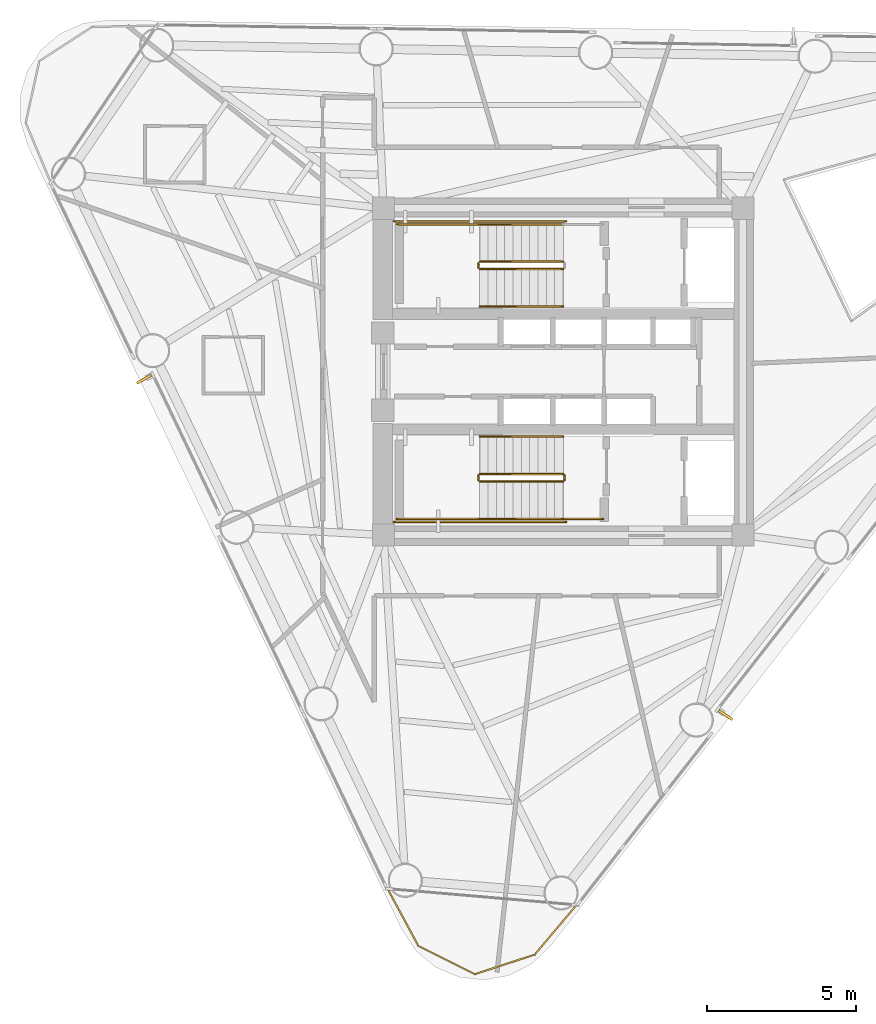
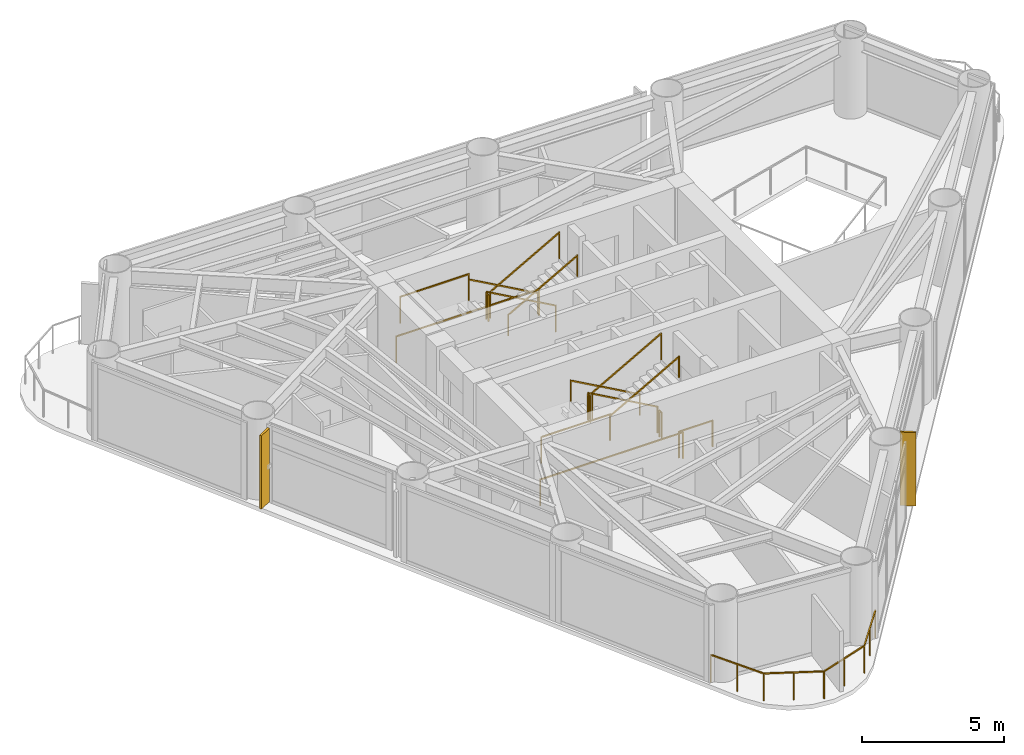
# One storey, part 7 of 9: 17 railings, 2 shading devices.
"""IFC4 building model written with IfcOpenShell, lengths in metres."""

from ifc_helpers import new_model, si_unit, direction, frame, origin, origin_2d, place, context, subcontext, project, spatial, rectangle, extrude, source, transform, mapped, material, material_profile, profile_set, type_object, element, save


model = new_model("IFC4")

# Units and contexts
model_context = context("Model", 3, precision=1e-05, world=origin(), true_north=direction((0.0, 1.0)))
body_context = subcontext(model_context, "Body", "Model", "MODEL_VIEW")
ifc_project = project(units=[si_unit("LENGTHUNIT", "METRE"), si_unit("AREAUNIT", "SQUARE_METRE"), si_unit("VOLUMEUNIT", "CUBIC_METRE"), si_unit("PLANEANGLEUNIT", "RADIAN"), si_unit("MASSUNIT", "GRAM", prefix="KILO")], contexts=[model_context])

# Site, building, storey
site_placement = place(None, origin())
site = spatial("IfcSite", under=ifc_project, at=site_placement, CompositionType="ELEMENT")
building_placement = place(site_placement, origin())
building = spatial("IfcBuilding", under=site, at=building_placement, Name="Yunling Apex Tower", CompositionType="ELEMENT")
storey_placement = place(building_placement, frame((0.0, 0.0, 208.699951171875)))
storey = spatial("IfcBuildingStorey", under=building, at=storey_placement, Name="L51", CompositionType="ELEMENT", Elevation=208.699951171875)

# Railings
ifc_material_1 = material(Name="Bronze anodised aluminium", Category="aluminium")
railing_type_1 = type_object("IfcRailingType", Name="RL-BAL-1200", PredefinedType="BALUSTRADE", material=ifc_material_1)
railing_1_placement = place(storey_placement, frame((0.4462890625, -17.9599609375, 0.0)))
element("IfcRailing", 1, at=railing_1_placement, inside=storey, type_object=railing_type_1, Name="RL-CRNSILL-L51-3", PredefinedType="BALUSTRADE", context=body_context, shape_type="SweptSolid", body=[
    extrude(rectangle(XDim=0.0439453125, YDim=0.0439453125, at=origin_2d()), origin(), (0.0, 0.0, 1.0), 1.199951171875),
    extrude(rectangle(XDim=0.0439453125, YDim=0.0439453125, at=origin_2d()), frame((-1.408447265625, -1.669189453125, 0.0)), (0.0, 0.0, 1.0), 1.199951171875),
    extrude(rectangle(XDim=0.050048828125, YDim=0.050048828125, at=origin_2d()), frame((-0.024658203125, -0.029296875, 1.1748046875), z_axis=(-0.644889304204, -0.764275987666, 0.0), x_axis=(0.764275987666, -0.644889304204, 0.0)), (0.0, 0.0, 1.0), 2.107421875),
    extrude(rectangle(XDim=0.0439453125, YDim=0.0439453125, at=origin_2d()), frame((-0.7041015625, -0.83447265625, 0.0)), (0.0, 0.0, 1.0), 1.14599609375),
    extrude(rectangle(XDim=0.0439453125, YDim=0.0439453125, at=origin_2d()), frame((-3.421875, -2.326416015625, 0.0)), (0.0, 0.0, 1.0), 1.199951171875),
    extrude(rectangle(XDim=0.050048828125, YDim=0.050048828125, at=origin_2d()), frame((-1.44482421875, -1.68115234375, 1.1748046875), z_axis=(-0.950635994022, -0.310308244926, 0.0), x_axis=(0.310308244926, -0.950635994022, 0.0)), (0.0, 0.0, 1.0), 2.041259765625),
    extrude(rectangle(XDim=0.0439453125, YDim=0.0439453125, at=origin_2d()), frame((-2.4150390625, -1.997802734375, 0.0)), (0.0, 0.0, 1.0), 1.14599609375),
    extrude(rectangle(XDim=0.0439453125, YDim=0.0439453125, at=origin_2d()), frame((-5.32275390625, -1.376708984375, 0.0)), (0.0, 0.0, 1.0), 1.199951171875),
    extrude(rectangle(XDim=0.050048828125, YDim=0.050048828125, at=origin_2d()), frame((-3.4560546875, -2.309326171875, 1.1748046875), z_axis=(-0.894565021347, 0.446937828543, 0.0), x_axis=(-0.446937828543, -0.894565021347, 0.0)), (0.0, 0.0, 1.0), 2.04833984375),
    extrude(rectangle(XDim=0.0439453125, YDim=0.0439453125, at=origin_2d()), frame((-4.372314453125, -1.8515625, 0.0)), (0.0, 0.0, 1.0), 1.14599609375),
    extrude(rectangle(XDim=0.0439453125, YDim=0.0439453125, at=origin_2d()), frame((-6.35791015625, 0.545654296875, 0.0)), (0.0, 0.0, 1.0), 1.199951171875),
    extrude(rectangle(XDim=0.050048828125, YDim=0.050048828125, at=origin_2d()), frame((-5.3408203125, -1.343017578125, 1.1748046875), z_axis=(-0.474113159208, 0.880463918775, 0.0), x_axis=(-0.880463918775, -0.474113159208, 0.0)), (0.0, 0.0, 1.0), 2.106689453125),
    extrude(rectangle(XDim=0.0439453125, YDim=0.0439453125, at=origin_2d()), frame((-5.84033203125, -0.41552734375, 0.0)), (0.0, 0.0, 1.0), 1.14599609375),
])
ifc_material_2 = material(Name="Steel Q355B", Category="steel")
railing_type_2 = type_object("IfcRailingType", Name="RL-GRD-1150", PredefinedType="GUARDRAIL", material=ifc_material_2)
railing_2_placement = place(storey_placement, frame((-0.010009765625, 3.699951171875, 0.156982421875)))
element("IfcRailing", 2, at=railing_2_placement, inside=storey, type_object=railing_type_2, Name="L51 ST-1 stair guard 1", PredefinedType="GUARDRAIL", context=body_context, shape_type="SweptSolid", body=[
    extrude(rectangle(XDim=0.0439453125, YDim=0.0439453125, at=origin_2d()), origin(), (0.0, 0.0, 1.0), 1.14990234375),
    extrude(rectangle(XDim=0.0439453125, YDim=0.0439453125, at=origin_2d()), frame((-2.800048828125, 0.0, 1.568115234375)), (0.0, 0.0, 1.0), 1.14990234375),
    extrude(rectangle(XDim=0.050048828125, YDim=0.050048828125, at=origin_2d()), frame((-0.033447265625, 0.0, 1.1435546875), z_axis=(-0.872494340497, 0.0, 0.48862421737), x_axis=(0.0, -1.0, 0.0)), (0.0, 0.0, 1.0), 3.132568359375),
])
railing_3_placement = place(storey_placement, frame((-2.860107421875, 3.64990234375, 1.72509765625)))
element("IfcRailing", 3, at=railing_3_placement, inside=storey, type_object=railing_type_2, Name="L51 ST-1 stair guard 2", PredefinedType="GUARDRAIL", context=body_context, shape_type="SweptSolid", body=[
    extrude(rectangle(XDim=0.0439453125, YDim=0.0439453125, at=origin_2d()), origin(), (0.0, 0.0, 1.0), 1.14990234375),
    extrude(rectangle(XDim=0.0439453125, YDim=0.0439453125, at=origin_2d()), frame((0.0, -0.14990234375, 0.0)), (0.0, 0.0, 1.0), 1.14990234375),
    extrude(rectangle(XDim=0.050048828125, YDim=0.050048828125, at=origin_2d()), frame((0.0, -0.038330078125, 1.125), z_axis=(0.0, -1.0, 0.0), x_axis=(1.0, 0.0, 0.0)), (0.0, 0.0, 1.0), 0.0732421875),
])
railing_4_placement = place(storey_placement, frame((-2.81005859375, 4.9599609375, 1.72509765625)))
element("IfcRailing", 4, at=railing_4_placement, inside=storey, type_object=railing_type_2, Name="L51 ST-1 stair guard 3", PredefinedType="GUARDRAIL", context=body_context, shape_type="SweptSolid", body=[
    extrude(rectangle(XDim=0.0439453125, YDim=0.0439453125, at=origin_2d()), origin(), (0.0, 0.0, 1.0), 1.14990234375),
    extrude(rectangle(XDim=0.0439453125, YDim=0.0439453125, at=origin_2d()), frame((-2.7900390625, 0.0, 0.0)), (0.0, 0.0, 1.0), 1.14990234375),
    extrude(rectangle(XDim=0.050048828125, YDim=0.050048828125, at=origin_2d()), frame((-0.038330078125, 0.0, 1.125), z_axis=(-1.0, 0.0, 0.0), x_axis=(0.0, -1.0, 0.0)), (0.0, 0.0, 1.0), 2.71337890625),
])
railing_5_placement = place(storey_placement, frame((-2.81005859375, 3.449951171875, 1.8818359375)))
element("IfcRailing", 5, at=railing_5_placement, inside=storey, type_object=railing_type_2, Name="L51 ST-1 stair guard 4", PredefinedType="GUARDRAIL", context=body_context, shape_type="SweptSolid", body=[
    extrude(rectangle(XDim=0.0439453125, YDim=0.0439453125, at=origin_2d()), origin(), (0.0, 0.0, 1.0), 1.14990234375),
    extrude(rectangle(XDim=0.0439453125, YDim=0.0439453125, at=origin_2d()), frame((2.800048828125, 0.0, 1.568115234375)), (0.0, 0.0, 1.0), 1.14990234375),
    extrude(rectangle(XDim=0.050048828125, YDim=0.050048828125, at=origin_2d()), frame((0.033447265625, 0.0, 1.1435546875), z_axis=(0.872494340497, 0.0, 0.48862421737), x_axis=(0.0, 1.0, 0.0)), (0.0, 0.0, 1.0), 3.132568359375),
])
railing_6_placement = place(storey_placement, frame((0.090087890625, 5.06005859375, 0.0)))
element("IfcRailing", 6, at=railing_6_placement, inside=storey, type_object=railing_type_2, Name="L51 ST-1 stair guard 7", PredefinedType="GUARDRAIL", context=body_context, shape_type="SweptSolid", body=[
    extrude(rectangle(XDim=0.0439453125, YDim=0.0439453125, at=origin_2d()), origin(), (0.0, 0.0, 1.0), 1.14990234375),
    extrude(rectangle(XDim=0.0439453125, YDim=0.0439453125, at=origin_2d()), frame((-5.7900390625, 0.0, 0.0)), (0.0, 0.0, 1.0), 1.14990234375),
    extrude(rectangle(XDim=0.050048828125, YDim=0.050048828125, at=origin_2d()), frame((-0.038330078125, 0.0, 1.125), z_axis=(-1.0, 0.0, 0.0), x_axis=(0.0, -1.0, 0.0)), (0.0, 0.0, 1.0), 5.71337890625),
])
railing_7_placement = place(storey_placement, frame((-0.010009765625, -3.449951171875, 0.156982421875)))
element("IfcRailing", 7, at=railing_7_placement, inside=storey, type_object=railing_type_2, Name="L51 ST-2 stair guard 1", PredefinedType="GUARDRAIL", context=body_context, shape_type="SweptSolid", body=[
    extrude(rectangle(XDim=0.0439453125, YDim=0.0439453125, at=origin_2d()), origin(), (0.0, 0.0, 1.0), 1.14990234375),
    extrude(rectangle(XDim=0.0439453125, YDim=0.0439453125, at=origin_2d()), frame((-2.800048828125, 0.0, 1.568115234375)), (0.0, 0.0, 1.0), 1.14990234375),
    extrude(rectangle(XDim=0.050048828125, YDim=0.050048828125, at=origin_2d()), frame((-0.033447265625, 0.0, 1.1435546875), z_axis=(-0.872494340497, 0.0, 0.48862421737), x_axis=(0.0, -1.0, 0.0)), (0.0, 0.0, 1.0), 3.132568359375),
])
railing_8_placement = place(storey_placement, frame((-2.860107421875, -3.5, 1.72509765625)))
element("IfcRailing", 8, at=railing_8_placement, inside=storey, type_object=railing_type_2, Name="L51 ST-2 stair guard 2", PredefinedType="GUARDRAIL", context=body_context, shape_type="SweptSolid", body=[
    extrude(rectangle(XDim=0.0439453125, YDim=0.0439453125, at=origin_2d()), origin(), (0.0, 0.0, 1.0), 1.14990234375),
    extrude(rectangle(XDim=0.0439453125, YDim=0.0439453125, at=origin_2d()), frame((0.0, -0.14990234375, 0.0)), (0.0, 0.0, 1.0), 1.14990234375),
    extrude(rectangle(XDim=0.050048828125, YDim=0.050048828125, at=origin_2d()), frame((0.0, -0.038330078125, 1.125), z_axis=(0.0, -1.0, 0.0), x_axis=(1.0, 0.0, 0.0)), (0.0, 0.0, 1.0), 0.0732421875),
])
railing_9_placement = place(storey_placement, frame((-2.81005859375, -4.9599609375, 1.72509765625)))
element("IfcRailing", 9, at=railing_9_placement, inside=storey, type_object=railing_type_2, Name="L51 ST-2 stair guard 3", PredefinedType="GUARDRAIL", context=body_context, shape_type="SweptSolid", body=[
    extrude(rectangle(XDim=0.0439453125, YDim=0.0439453125, at=origin_2d()), origin(), (0.0, 0.0, 1.0), 1.14990234375),
    extrude(rectangle(XDim=0.0439453125, YDim=0.0439453125, at=origin_2d()), frame((-2.7900390625, 0.0, 0.0)), (0.0, 0.0, 1.0), 1.14990234375),
    extrude(rectangle(XDim=0.050048828125, YDim=0.050048828125, at=origin_2d()), frame((-0.038330078125, 0.0, 1.125), z_axis=(-1.0, 0.0, 0.0), x_axis=(0.0, -1.0, 0.0)), (0.0, 0.0, 1.0), 2.71337890625),
])
railing_10_placement = place(storey_placement, frame((-2.81005859375, -3.699951171875, 1.8818359375)))
element("IfcRailing", 10, at=railing_10_placement, inside=storey, type_object=railing_type_2, Name="L51 ST-2 stair guard 4", PredefinedType="GUARDRAIL", context=body_context, shape_type="SweptSolid", body=[
    extrude(rectangle(XDim=0.0439453125, YDim=0.0439453125, at=origin_2d()), origin(), (0.0, 0.0, 1.0), 1.14990234375),
    extrude(rectangle(XDim=0.0439453125, YDim=0.0439453125, at=origin_2d()), frame((2.800048828125, 0.0, 1.568115234375)), (0.0, 0.0, 1.0), 1.14990234375),
    extrude(rectangle(XDim=0.050048828125, YDim=0.050048828125, at=origin_2d()), frame((0.033447265625, 0.0, 1.1435546875), z_axis=(0.872494340497, 0.0, 0.48862421737), x_axis=(0.0, 1.0, 0.0)), (0.0, 0.0, 1.0), 3.132568359375),
])
railing_11_placement = place(storey_placement, frame((0.0400390625, -3.5, 0.0)))
element("IfcRailing", 11, at=railing_11_placement, inside=storey, type_object=railing_type_2, Name="L51 ST-2 stair guard 5", PredefinedType="GUARDRAIL", context=body_context, shape_type="SweptSolid", body=[
    extrude(rectangle(XDim=0.0439453125, YDim=0.0439453125, at=origin_2d()), origin(), (0.0, 0.0, 1.0), 1.14990234375),
    extrude(rectangle(XDim=0.0439453125, YDim=0.0439453125, at=origin_2d()), frame((0.0, -0.14990234375, 0.0)), (0.0, 0.0, 1.0), 1.14990234375),
    extrude(rectangle(XDim=0.050048828125, YDim=0.050048828125, at=origin_2d()), frame((0.0, -0.038330078125, 1.125), z_axis=(0.0, -1.0, 0.0), x_axis=(1.0, 0.0, 0.0)), (0.0, 0.0, 1.0), 0.0732421875),
])
railing_12_placement = place(storey_placement, frame((1.35009765625, -4.9599609375, 0.0)))
element("IfcRailing", 12, at=railing_12_placement, inside=storey, type_object=railing_type_2, Name="L51 ST-2 stair guard 6", PredefinedType="GUARDRAIL", context=body_context, shape_type="SweptSolid", body=[
    extrude(rectangle(XDim=0.0439453125, YDim=0.0439453125, at=origin_2d()), origin(), (0.0, 0.0, 1.0), 1.14990234375),
    extrude(rectangle(XDim=0.0439453125, YDim=0.0439453125, at=origin_2d()), frame((-1.360107421875, 0.0, 0.0)), (0.0, 0.0, 1.0), 1.14990234375),
    extrude(rectangle(XDim=0.050048828125, YDim=0.050048828125, at=origin_2d()), frame((-0.038330078125, 0.0, 1.125), z_axis=(-1.0, 0.0, 0.0), x_axis=(0.0, -1.0, 0.0)), (0.0, 0.0, 1.0), 1.283447265625),
])
railing_13_placement = place(storey_placement, frame((0.090087890625, -5.06005859375, 0.0)))
element("IfcRailing", 13, at=railing_13_placement, inside=storey, type_object=railing_type_2, Name="L51 ST-2 stair guard 7", PredefinedType="GUARDRAIL", context=body_context, shape_type="SweptSolid", body=[
    extrude(rectangle(XDim=0.0439453125, YDim=0.0439453125, at=origin_2d()), origin(), (0.0, 0.0, 1.0), 1.14990234375),
    extrude(rectangle(XDim=0.0439453125, YDim=0.0439453125, at=origin_2d()), frame((-5.7900390625, 0.0, 0.0)), (0.0, 0.0, 1.0), 1.14990234375),
    extrude(rectangle(XDim=0.050048828125, YDim=0.050048828125, at=origin_2d()), frame((-0.038330078125, 0.0, 1.125), z_axis=(-1.0, 0.0, 0.0), x_axis=(0.0, -1.0, 0.0)), (0.0, 0.0, 1.0), 5.71337890625),
])
ifc_material_3 = material(Name="Silver anodised aluminium", Category="aluminium")
railing_type_3 = type_object("IfcRailingType", Name="RL-HND-900", PredefinedType="HANDRAIL", material=ifc_material_3)
railing_14_placement = place(storey_placement, frame((-0.010009765625, 4.9599609375, 0.156982421875)))
element("IfcRailing", 14, at=railing_14_placement, inside=storey, type_object=railing_type_3, Name="L51 ST-1 stair handrail 1", PredefinedType="HANDRAIL", context=body_context, shape_type="SweptSolid", body=[
    extrude(rectangle(XDim=0.0439453125, YDim=0.0439453125, at=origin_2d()), origin(), (0.0, 0.0, 1.0), 0.919921875),
    extrude(rectangle(XDim=0.0439453125, YDim=0.0439453125, at=origin_2d()), frame((-2.800048828125, 0.0, 1.568115234375)), (0.0, 0.0, 1.0), 0.919921875),
    extrude(rectangle(XDim=0.050048828125, YDim=0.050048828125, at=origin_2d()), frame((-0.033447265625, 0.0, 0.91357421875), z_axis=(-0.872494340497, 0.0, 0.48862421737), x_axis=(0.0, -1.0, 0.0)), (0.0, 0.0, 1.0), 3.132568359375),
])
railing_15_placement = place(storey_placement, frame((-2.81005859375, 2.18994140625, 1.8818359375)))
element("IfcRailing", 15, at=railing_15_placement, inside=storey, type_object=railing_type_3, Name="L51 ST-1 stair handrail 2", PredefinedType="HANDRAIL", context=body_context, shape_type="SweptSolid", body=[
    extrude(rectangle(XDim=0.0439453125, YDim=0.0439453125, at=origin_2d()), origin(), (0.0, 0.0, 1.0), 0.919921875),
    extrude(rectangle(XDim=0.0439453125, YDim=0.0439453125, at=origin_2d()), frame((2.800048828125, 0.0, 1.568115234375)), (0.0, 0.0, 1.0), 0.919921875),
    extrude(rectangle(XDim=0.050048828125, YDim=0.050048828125, at=origin_2d()), frame((0.033447265625, 0.0, 0.91357421875), z_axis=(0.872494340497, 0.0, 0.48862421737), x_axis=(0.0, 1.0, 0.0)), (0.0, 0.0, 1.0), 3.132568359375),
])
railing_16_placement = place(storey_placement, frame((-0.010009765625, -2.18994140625, 0.156982421875)))
element("IfcRailing", 16, at=railing_16_placement, inside=storey, type_object=railing_type_3, Name="L51 ST-2 stair handrail 1", PredefinedType="HANDRAIL", context=body_context, shape_type="SweptSolid", body=[
    extrude(rectangle(XDim=0.0439453125, YDim=0.0439453125, at=origin_2d()), origin(), (0.0, 0.0, 1.0), 0.919921875),
    extrude(rectangle(XDim=0.0439453125, YDim=0.0439453125, at=origin_2d()), frame((-2.800048828125, 0.0, 1.568115234375)), (0.0, 0.0, 1.0), 0.919921875),
    extrude(rectangle(XDim=0.050048828125, YDim=0.050048828125, at=origin_2d()), frame((-0.033447265625, 0.0, 0.91357421875), z_axis=(-0.872494340497, 0.0, 0.48862421737), x_axis=(0.0, -1.0, 0.0)), (0.0, 0.0, 1.0), 3.132568359375),
])
railing_17_placement = place(storey_placement, frame((-2.81005859375, -4.9599609375, 1.8818359375)))
element("IfcRailing", 17, at=railing_17_placement, inside=storey, type_object=railing_type_3, Name="L51 ST-2 stair handrail 2", PredefinedType="HANDRAIL", context=body_context, shape_type="SweptSolid", body=[
    extrude(rectangle(XDim=0.0439453125, YDim=0.0439453125, at=origin_2d()), origin(), (0.0, 0.0, 1.0), 0.919921875),
    extrude(rectangle(XDim=0.0439453125, YDim=0.0439453125, at=origin_2d()), frame((2.800048828125, 0.0, 1.568115234375)), (0.0, 0.0, 1.0), 0.919921875),
    extrude(rectangle(XDim=0.050048828125, YDim=0.050048828125, at=origin_2d()), frame((0.033447265625, 0.0, 0.91357421875), z_axis=(0.872494340497, 0.0, 0.48862421737), x_axis=(0.0, 1.0, 0.0)), (0.0, 0.0, 1.0), 3.132568359375),
])

# Shading devices
ifc_material_profile = material_profile(ifc_material_1, rectangle(XDim=0.0849609375, YDim=0.550048828125, at=origin_2d()))
ifc_profile_set = profile_set([ifc_material_profile], Name="Bronze anodised aluminium")
shading_device_type = type_object("IfcShadingDeviceType", Name="FN-BRZ-3", PredefinedType="USERDEFINED", material=ifc_profile_set)
shared_shape = source(origin(), body_context, "Body", "SweptSolid", [
    extrude(rectangle(XDim=0.0849609375, YDim=0.550048828125, at=origin_2d()), origin(), (0.0, 0.0, 1.0), 3.14990234375),
])
for number, where, z_axis, x_axis, name in (
    (18, (5.468505859375, -11.565185546875, 0.06005859375), (0.0, 0.0, 1.0), (0.563381859003, 0.826196635763, 0.0), "CW-L51-F1-B2-FIN-01"),
    (19, (-14.113037109375, -0.254150390625, 0.06005859375), (0.0, 0.0, 1.0), (0.488621241497, -0.872496007073, 0.0), "CW-L51-F3-B2-FIN-01"),
):
    element("IfcShadingDevice", number, at=place(storey_placement, frame(where, z_axis=z_axis, x_axis=x_axis)), inside=storey, type_object=shading_device_type, Name=name, ObjectType="FIN", PredefinedType="USERDEFINED", context=body_context, shape_type="MappedRepresentation", body=[
        mapped(shared_shape, transform((0.0, 0.0, 0.0), scale=1.0)),
    ])

save(model, "model.ifc")
